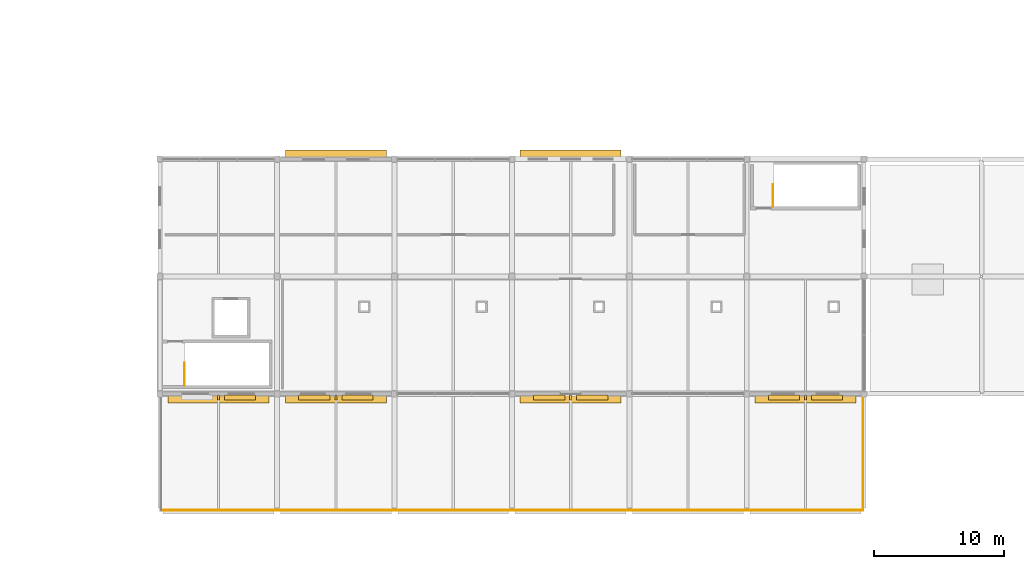
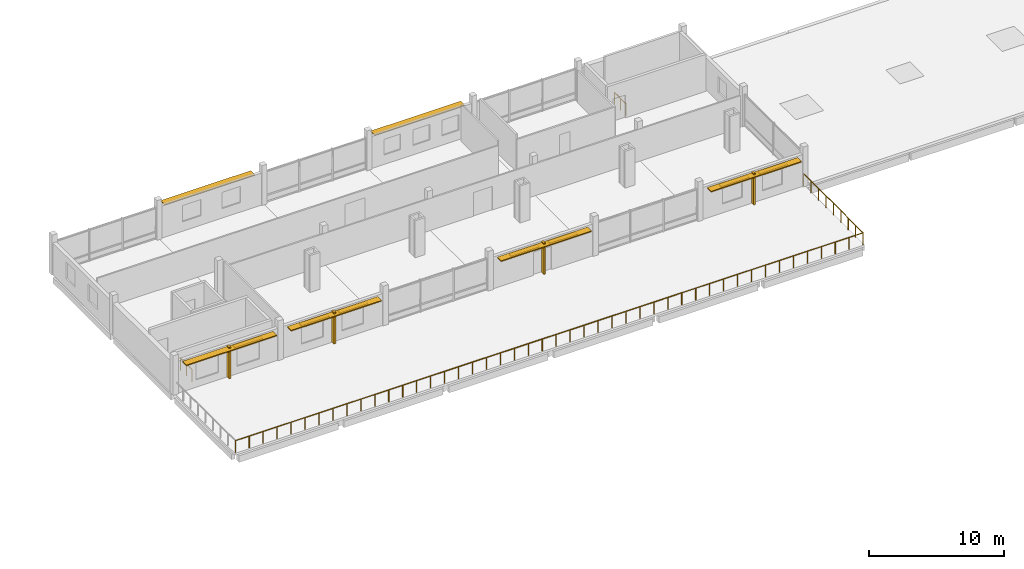
# One storey, part 162 of 163: 17 shading devices, 4 railings.
"""IFC4 building model written with IfcOpenShell, lengths in metres."""

import ifcopenshell
import ifcopenshell.guid

model = None  # the IFC model being written
_history = None  # IfcOwnerHistory: only IFC2X3 demands one
_inside = {}  # id of a spatial element -> (the spatial element, [elements in it])
_under = {}  # id of a project, library or spatial element -> (it, [spatial elements below it])
_declared = {}  # id of a project -> (the project, [libraries it declares])
_typed = {}  # id of a type object -> (the type object, [elements of that type])
_made_of = {}  # id of a material, layer set ... -> (it, [elements and type objects made of it])


def new_model(schema):
    """Start an empty IFC model of exactly this schema.

    Asked for "IFC4X3", IfcOpenShell would pick the latest addendum, in which some entities
    have other attributes; the version numbers below select the first issue.
    IFC2X3 requires an IfcOwnerHistory on every rooted entity: one is made here for all.
    """
    global model, _history
    if schema == "IFC4X3":
        model = ifcopenshell.file(schema_version=(4, 3, 0, 0))
    else:
        model = ifcopenshell.file(schema=schema)
    _inside.clear()
    _under.clear()
    _declared.clear()
    _typed.clear()
    _made_of.clear()
    _history = None
    if model.schema == "IFC2X3":
        org = make("IfcOrganization", Name="unknown")
        user = make(
            "IfcPersonAndOrganization",
            ThePerson=make("IfcPerson", FamilyName="unknown"),
            TheOrganization=org,
        )
        app = make(
            "IfcApplication",
            ApplicationDeveloper=org,
            Version="unknown",
            ApplicationFullName="unknown",
            ApplicationIdentifier="unknown",
        )
        _history = make(
            "IfcOwnerHistory",
            OwningUser=user,
            OwningApplication=app,
            ChangeAction="ADDED",
            CreationDate=0,
        )
    return model


def make(cls, **values):
    """One entity of the class cls with the attributes given. An attribute that is None is left unset."""
    return model.create_entity(
        cls, **{name: value for name, value in values.items() if value is not None}
    )


def rooted(cls, **values):
    """An entity with a GlobalId (a new one), such as an element, a storey or a relation."""
    return make(cls, GlobalId=ifcopenshell.guid.new(), OwnerHistory=_history, **values)


def si_unit(unit_type, name, prefix=None):
    """IfcSIUnit, for example si_unit("LENGTHUNIT", "METRE", prefix="MILLI")."""
    return make("IfcSIUnit", UnitType=unit_type, Prefix=prefix, Name=name)


def assignment(units):
    """IfcUnitAssignment: the units of a project."""
    return None if units is None else make("IfcUnitAssignment", Units=units)


def point(xyz):
    """IfcCartesianPoint."""
    return None if xyz is None else make("IfcCartesianPoint", Coordinates=xyz)


def direction(xyz):
    """IfcDirection."""
    return None if xyz is None else make("IfcDirection", DirectionRatios=xyz)


def frame(location, z_axis=None, x_axis=None):
    """IfcAxis2Placement3D, a coordinate frame: its origin and axes. An axis left out is left unset."""
    return make(
        "IfcAxis2Placement3D",
        Location=point(location),
        Axis=direction(z_axis),
        RefDirection=direction(x_axis),
    )


def frame_2d(location, x_axis=None):
    """IfcAxis2Placement2D, a coordinate frame in the plane: its origin and x axis."""
    return make(
        "IfcAxis2Placement2D", Location=point(location), RefDirection=direction(x_axis)
    )


def origin():
    """The frame at (0, 0, 0) with its axes left unset."""
    return frame((0.0, 0.0, 0.0))


def origin_2d():
    """The frame at (0, 0) in the plane with its x axis left unset."""
    return frame_2d((0.0, 0.0))


def place(relative_to, where):
    """IfcLocalPlacement: puts the frame where relative to a parent placement (None: the world)."""
    return make(
        "IfcLocalPlacement", PlacementRelTo=relative_to, RelativePlacement=where
    )


def context(
    kind, dimensions, precision=None, world=None, true_north=None, identifier=None
):
    """IfcGeometricRepresentationContext, for example the 3D "Model" context."""
    return make(
        "IfcGeometricRepresentationContext",
        ContextIdentifier=identifier,
        ContextType=kind,
        CoordinateSpaceDimension=dimensions,
        Precision=precision,
        WorldCoordinateSystem=world,
        TrueNorth=true_north,
    )


def subcontext(parent, identifier, kind, view, scale=None):
    """IfcGeometricRepresentationSubContext, for example "Body" below "Model"."""
    return make(
        "IfcGeometricRepresentationSubContext",
        ContextIdentifier=identifier,
        ContextType=kind,
        ParentContext=parent,
        TargetScale=scale,
        TargetView=view,
    )


def project(units=None, contexts=None):
    """IfcProject with its units and contexts."""
    return rooted(
        "IfcProject",
        Name="project",
        RepresentationContexts=contexts,
        UnitsInContext=assignment(units),
    )


def spatial(cls, under=None, at=None, **own):
    """A site, building, storey or space (cls), placed at a placement, below another one or the project."""
    s = rooted(cls, ObjectPlacement=at, **own)
    if under is not None:
        _under.setdefault(under.id(), (under, []))[1].append(s)
    return s


def profile(cls, at=None, kind="AREA", **sizes):
    """A parametric profile (cls). Its sizes go by their IFC names, for example OverallWidth=200.0."""
    return make(cls, ProfileType=kind, Position=at, **sizes)


def rectangle(**sizes):
    """IfcRectangleProfileDef."""
    return profile("IfcRectangleProfileDef", **sizes)


def circle(**sizes):
    """IfcCircleProfileDef."""
    return profile("IfcCircleProfileDef", **sizes)


def extrude(swept, where, along, depth):
    """IfcExtrudedAreaSolid: the profile swept, set in the frame where, extruded along a direction by depth."""
    return make(
        "IfcExtrudedAreaSolid",
        SweptArea=swept,
        Position=where,
        ExtrudedDirection=direction(along),
        Depth=depth,
    )


def shape(context_of_items, identifier, shape_type, items):
    """IfcShapeRepresentation: the items that make up one representation, for example the "Body"."""
    return make(
        "IfcShapeRepresentation",
        ContextOfItems=context_of_items,
        RepresentationIdentifier=identifier,
        RepresentationType=shape_type,
        Items=items,
    )


def material(Name=None, Category=None):
    """IfcMaterial."""
    return make("IfcMaterial", Name=Name, Category=Category)


def layer(
    of_material, thickness, ventilated=None, Name=None, Category=None, Priority=None
):
    """IfcMaterialLayer: one layer of a wall or slab, of a material (None: an air gap)."""
    return make(
        "IfcMaterialLayer",
        Material=of_material,
        LayerThickness=thickness,
        IsVentilated=ventilated,
        Name=Name,
        Category=Category,
        Priority=Priority,
    )


def layer_set(layers, Name=None):
    """IfcMaterialLayerSet."""
    return make("IfcMaterialLayerSet", MaterialLayers=layers, LayerSetName=Name)


def made_of(thing, what):
    """Note that an element or type object is made of a material, layer set ...; save() writes the relation."""
    if what is not None:
        _made_of.setdefault(what.id(), (what, []))[1].append(thing)
    return thing


def type_object(cls, material=None, **own):
    """A type object (cls), such as IfcWallType, which elements share."""
    return made_of(rooted(cls, **own), material)


def element(
    cls,
    number,
    at=None,
    inside=None,
    cuts=None,
    type_object=None,
    material=None,
    context=None,
    identifier="Body",
    shape_type=None,
    held_by="IfcProductDefinitionShape",
    body=None,
    shapes=None,
    **own,
):
    """One element of the class cls, such as IfcWall. Its Tag is "e" and its number.

    at: its placement. inside: the storey or other place that contains it. cuts: it is an
    opening in that element (IfcRelVoidsElement). A single representation is given by context,
    identifier, shape_type and body (its items); several are given by shapes. held_by: the class
    of the entity that holds the representations. save() writes the other relations.
    """
    e = rooted(cls, Tag="e%d" % number, ObjectPlacement=at, **own)
    if body is not None:
        shapes = [shape(context, identifier, shape_type, body)]
    if shapes is not None:
        e.Representation = make(held_by, Representations=shapes)
    if inside is not None:
        _inside.setdefault(inside.id(), (inside, []))[1].append(e)
    if cuts is not None:
        rooted(
            "IfcRelVoidsElement", RelatingBuildingElement=cuts, RelatedOpeningElement=e
        )
    if type_object is not None:
        _typed.setdefault(type_object.id(), (type_object, []))[1].append(e)
    return made_of(e, material)


def aggregate(whole, parts):
    """IfcRelAggregates: a whole, such as a stair, and the parts it consists of."""
    return rooted("IfcRelAggregates", RelatingObject=whole, RelatedObjects=parts)


def save(model, path):
    """Write the relations noted so far, then the file.

    IfcRelAggregates (storeys below a building ...), IfcRelContainedInSpatialStructure (elements
    in a storey), IfcRelDefinesByType, IfcRelAssociatesMaterial and IfcRelDeclares: one each for
    every whole, place, type object, material and project.
    """
    for whole, parts in _under.values():
        aggregate(whole, parts)
    for where, things in _inside.values():
        rooted(
            "IfcRelContainedInSpatialStructure",
            RelatedElements=things,
            RelatingStructure=where,
        )
    for kind, things in _typed.values():
        rooted("IfcRelDefinesByType", RelatedObjects=things, RelatingType=kind)
    for what, things in _made_of.values():
        rooted("IfcRelAssociatesMaterial", RelatedObjects=things, RelatingMaterial=what)
    for by, libraries in _declared.values():
        rooted("IfcRelDeclares", RelatingContext=by, RelatedDefinitions=libraries)
    model.write(path)


model = new_model("IFC4")

# Units and contexts
model_context = context("Model", 3, precision=1e-05, world=origin(), true_north=direction((0.0, 1.0)))
body_context = subcontext(model_context, "Body", "Model", "MODEL_VIEW")
ifc_project = project(units=[si_unit("LENGTHUNIT", "METRE"), si_unit("AREAUNIT", "SQUARE_METRE"), si_unit("VOLUMEUNIT", "CUBIC_METRE"), si_unit("PLANEANGLEUNIT", "RADIAN"), si_unit("MASSUNIT", "GRAM", prefix="KILO")], contexts=[model_context])

# Site, building, storey
site_placement = place(None, origin())
site = spatial("IfcSite", under=ifc_project, at=site_placement, CompositionType="ELEMENT")
building_placement = place(site_placement, origin())
building = spatial("IfcBuilding", under=site, at=building_placement, Name="Tharagai Park Tramway Depot", CompositionType="ELEMENT")
storey_placement = place(building_placement, frame((0.0, 0.0, 8.39990234375)))
storey = spatial("IfcBuildingStorey", under=building, at=storey_placement, Name="L02", CompositionType="ELEMENT", Elevation=8.39990234375)

# Railings
ifc_material_1 = material(Name="Galvanised steel", Category="steel")
railing_type_1 = type_object("IfcRailingType", Name="GR-01", PredefinedType="BALUSTRADE", material=ifc_material_1)
railing_1_placement = place(storey_placement, frame((135.080078125, 0.080078125, 0.0)))
element("IfcRailing", 1, at=railing_1_placement, inside=storey, type_object=railing_type_1, Name="Park Belvedere Terrace Perimeter Guard S", PredefinedType="BALUSTRADE", context=body_context, shape_type="SweptSolid", body=[
    extrude(circle(Radius=0.02392578125, at=origin_2d()), frame((0.0, 0.0, 1.076171875), z_axis=(1.0, 0.0, 0.0), x_axis=(0.0, 1.0, 0.0)), (0.0, 0.0, 1.0), 53.83984375),
    extrude(circle(Radius=0.02099609375, at=origin_2d()), origin(), (0.0, 0.0, 1.0), 1.052001953125),
    extrude(circle(Radius=0.02099609375, at=origin_2d()), frame((1.196533203125, 0.0, 0.0)), (0.0, 0.0, 1.0), 1.052001953125),
    extrude(circle(Radius=0.02099609375, at=origin_2d()), frame((2.392822265625, 0.0, 0.0)), (0.0, 0.0, 1.0), 1.052001953125),
    extrude(circle(Radius=0.02099609375, at=origin_2d()), frame((3.58935546875, 0.0, 0.0)), (0.0, 0.0, 1.0), 1.052001953125),
    extrude(circle(Radius=0.02099609375, at=origin_2d()), frame((4.78564453125, 0.0, 0.0)), (0.0, 0.0, 1.0), 1.052001953125),
    extrude(circle(Radius=0.02099609375, at=origin_2d()), frame((5.982177734375, 0.0, 0.0)), (0.0, 0.0, 1.0), 1.052001953125),
    extrude(circle(Radius=0.02099609375, at=origin_2d()), frame((7.1787109375, 0.0, 0.0)), (0.0, 0.0, 1.0), 1.052001953125),
    extrude(circle(Radius=0.02099609375, at=origin_2d()), frame((8.375, 0.0, 0.0)), (0.0, 0.0, 1.0), 1.052001953125),
    extrude(circle(Radius=0.02099609375, at=origin_2d()), frame((9.571533203125, 0.0, 0.0)), (0.0, 0.0, 1.0), 1.052001953125),
    extrude(circle(Radius=0.02099609375, at=origin_2d()), frame((10.76806640625, 0.0, 0.0)), (0.0, 0.0, 1.0), 1.052001953125),
    extrude(circle(Radius=0.02099609375, at=origin_2d()), frame((11.96435546875, 0.0, 0.0)), (0.0, 0.0, 1.0), 1.052001953125),
    extrude(circle(Radius=0.02099609375, at=origin_2d()), frame((13.160888671875, 0.0, 0.0)), (0.0, 0.0, 1.0), 1.052001953125),
    extrude(circle(Radius=0.02099609375, at=origin_2d()), frame((14.357177734375, 0.0, 0.0)), (0.0, 0.0, 1.0), 1.052001953125),
    extrude(circle(Radius=0.02099609375, at=origin_2d()), frame((15.5537109375, 0.0, 0.0)), (0.0, 0.0, 1.0), 1.052001953125),
    extrude(circle(Radius=0.02099609375, at=origin_2d()), frame((16.750244140625, 0.0, 0.0)), (0.0, 0.0, 1.0), 1.052001953125),
    extrude(circle(Radius=0.02099609375, at=origin_2d()), frame((17.946533203125, 0.0, 0.0)), (0.0, 0.0, 1.0), 1.052001953125),
    extrude(circle(Radius=0.02099609375, at=origin_2d()), frame((19.14306640625, 0.0, 0.0)), (0.0, 0.0, 1.0), 1.052001953125),
    extrude(circle(Radius=0.02099609375, at=origin_2d()), frame((20.339599609375, 0.0, 0.0)), (0.0, 0.0, 1.0), 1.052001953125),
    extrude(circle(Radius=0.02099609375, at=origin_2d()), frame((21.535888671875, 0.0, 0.0)), (0.0, 0.0, 1.0), 1.052001953125),
    extrude(circle(Radius=0.02099609375, at=origin_2d()), frame((22.732421875, 0.0, 0.0)), (0.0, 0.0, 1.0), 1.052001953125),
    extrude(circle(Radius=0.02099609375, at=origin_2d()), frame((23.9287109375, 0.0, 0.0)), (0.0, 0.0, 1.0), 1.052001953125),
    extrude(circle(Radius=0.02099609375, at=origin_2d()), frame((25.125244140625, 0.0, 0.0)), (0.0, 0.0, 1.0), 1.052001953125),
    extrude(circle(Radius=0.02099609375, at=origin_2d()), frame((26.32177734375, 0.0, 0.0)), (0.0, 0.0, 1.0), 1.052001953125),
    extrude(circle(Radius=0.02099609375, at=origin_2d()), frame((27.51806640625, 0.0, 0.0)), (0.0, 0.0, 1.0), 1.052001953125),
    extrude(circle(Radius=0.02099609375, at=origin_2d()), frame((28.714599609375, 0.0, 0.0)), (0.0, 0.0, 1.0), 1.052001953125),
    extrude(circle(Radius=0.02099609375, at=origin_2d()), frame((29.9111328125, 0.0, 0.0)), (0.0, 0.0, 1.0), 1.052001953125),
    extrude(circle(Radius=0.02099609375, at=origin_2d()), frame((31.107421875, 0.0, 0.0)), (0.0, 0.0, 1.0), 1.052001953125),
    extrude(circle(Radius=0.02099609375, at=origin_2d()), frame((32.303955078125, 0.0, 0.0)), (0.0, 0.0, 1.0), 1.052001953125),
    extrude(circle(Radius=0.02099609375, at=origin_2d()), frame((33.500244140625, 0.0, 0.0)), (0.0, 0.0, 1.0), 1.052001953125),
    extrude(circle(Radius=0.02099609375, at=origin_2d()), frame((34.69677734375, 0.0, 0.0)), (0.0, 0.0, 1.0), 1.052001953125),
    extrude(circle(Radius=0.02099609375, at=origin_2d()), frame((35.893310546875, 0.0, 0.0)), (0.0, 0.0, 1.0), 1.052001953125),
    extrude(circle(Radius=0.02099609375, at=origin_2d()), frame((37.089599609375, 0.0, 0.0)), (0.0, 0.0, 1.0), 1.052001953125),
    extrude(circle(Radius=0.02099609375, at=origin_2d()), frame((38.2861328125, 0.0, 0.0)), (0.0, 0.0, 1.0), 1.052001953125),
    extrude(circle(Radius=0.02099609375, at=origin_2d()), frame((39.482666015625, 0.0, 0.0)), (0.0, 0.0, 1.0), 1.052001953125),
    extrude(circle(Radius=0.02099609375, at=origin_2d()), frame((40.678955078125, 0.0, 0.0)), (0.0, 0.0, 1.0), 1.052001953125),
    extrude(circle(Radius=0.02099609375, at=origin_2d()), frame((41.87548828125, 0.0, 0.0)), (0.0, 0.0, 1.0), 1.052001953125),
    extrude(circle(Radius=0.02099609375, at=origin_2d()), frame((43.07177734375, 0.0, 0.0)), (0.0, 0.0, 1.0), 1.052001953125),
    extrude(circle(Radius=0.02099609375, at=origin_2d()), frame((44.268310546875, 0.0, 0.0)), (0.0, 0.0, 1.0), 1.052001953125),
    extrude(circle(Radius=0.02099609375, at=origin_2d()), frame((45.46484375, 0.0, 0.0)), (0.0, 0.0, 1.0), 1.052001953125),
    extrude(circle(Radius=0.02099609375, at=origin_2d()), frame((46.6611328125, 0.0, 0.0)), (0.0, 0.0, 1.0), 1.052001953125),
    extrude(circle(Radius=0.02099609375, at=origin_2d()), frame((47.857666015625, 0.0, 0.0)), (0.0, 0.0, 1.0), 1.052001953125),
    extrude(circle(Radius=0.02099609375, at=origin_2d()), frame((49.05419921875, 0.0, 0.0)), (0.0, 0.0, 1.0), 1.052001953125),
    extrude(circle(Radius=0.02099609375, at=origin_2d()), frame((50.25048828125, 0.0, 0.0)), (0.0, 0.0, 1.0), 1.052001953125),
    extrude(circle(Radius=0.02099609375, at=origin_2d()), frame((51.447021484375, 0.0, 0.0)), (0.0, 0.0, 1.0), 1.052001953125),
    extrude(circle(Radius=0.02099609375, at=origin_2d()), frame((52.643310546875, 0.0, 0.0)), (0.0, 0.0, 1.0), 1.052001953125),
    extrude(circle(Radius=0.02099609375, at=origin_2d()), frame((53.83984375, 0.0, 0.0)), (0.0, 0.0, 1.0), 1.052001953125),
])
railing_2_placement = place(storey_placement, frame((188.919921875, 0.080078125, 0.0)))
element("IfcRailing", 2, at=railing_2_placement, inside=storey, type_object=railing_type_1, Name="Park Belvedere Terrace Perimeter Guard E", PredefinedType="BALUSTRADE", context=body_context, shape_type="SweptSolid", body=[
    extrude(circle(Radius=0.02392578125, at=origin_2d()), frame((0.0, 0.0, 1.076171875), z_axis=(0.0, 1.0, 0.0), x_axis=(-1.0, 0.0, 0.0)), (0.0, 0.0, 1.0), 8.83984375),
    extrude(circle(Radius=0.02099609375, at=origin_2d()), origin(), (0.0, 0.0, 1.0), 1.052001953125),
    extrude(circle(Radius=0.02099609375, at=origin_2d()), frame((0.0, 1.10498046875, 0.0)), (0.0, 0.0, 1.0), 1.052001953125),
    extrude(circle(Radius=0.02099609375, at=origin_2d()), frame((0.0, 2.2099609375, 0.0)), (0.0, 0.0, 1.0), 1.052001953125),
    extrude(circle(Radius=0.02099609375, at=origin_2d()), frame((0.0, 3.31494140625, 0.0)), (0.0, 0.0, 1.0), 1.052001953125),
    extrude(circle(Radius=0.02099609375, at=origin_2d()), frame((0.0, 4.419921875, 0.0)), (0.0, 0.0, 1.0), 1.052001953125),
    extrude(circle(Radius=0.02099609375, at=origin_2d()), frame((0.0, 5.52490234375, 0.0)), (0.0, 0.0, 1.0), 1.052001953125),
    extrude(circle(Radius=0.02099609375, at=origin_2d()), frame((0.0, 6.6298828125, 0.0)), (0.0, 0.0, 1.0), 1.052001953125),
    extrude(circle(Radius=0.02099609375, at=origin_2d()), frame((0.0, 7.73486328125, 0.0)), (0.0, 0.0, 1.0), 1.052001953125),
    extrude(circle(Radius=0.02099609375, at=origin_2d()), frame((0.0, 8.83984375, 0.0)), (0.0, 0.0, 1.0), 1.052001953125),
])
railing_type_2 = type_object("IfcRailingType", Name="HR-02", PredefinedType="GUARDRAIL", material=ifc_material_1)
railing_3_placement = place(storey_placement, frame((136.89990234375, 9.64990234375, 0.0)))
element("IfcRailing", 3, at=railing_3_placement, inside=storey, type_object=railing_type_2, Name="L02 ST-06 top well guard 1", PredefinedType="GUARDRAIL", context=body_context, shape_type="SweptSolid", body=[
    extrude(circle(Radius=0.02392578125, at=origin_2d()), frame((0.0, 0.0, 1.076171875), z_axis=(0.0, 1.0, 0.0), x_axis=(-1.0, 0.0, 0.0)), (0.0, 0.0, 1.0), 1.7001953125),
    extrude(circle(Radius=0.02099609375, at=origin_2d()), origin(), (0.0, 0.0, 1.0), 1.052001953125),
    extrude(circle(Radius=0.02099609375, at=origin_2d()), frame((0.0, 0.85009765625, 0.0)), (0.0, 0.0, 1.0), 1.052001953125),
    extrude(circle(Radius=0.02099609375, at=origin_2d()), frame((0.0, 1.7001953125, 0.0)), (0.0, 0.0, 1.0), 1.052001953125),
])
railing_4_placement = place(storey_placement, frame((182.02001953125, 23.35009765625, 0.0)))
element("IfcRailing", 4, at=railing_4_placement, inside=storey, type_object=railing_type_2, Name="L02 ST-07 top well guard 1", PredefinedType="GUARDRAIL", context=body_context, shape_type="SweptSolid", body=[
    extrude(circle(Radius=0.02392578125, at=origin_2d()), frame((0.0, 0.0, 1.076171875), z_axis=(0.0, 1.0, 0.0), x_axis=(-1.0, 0.0, 0.0)), (0.0, 0.0, 1.0), 1.699951171875),
    extrude(circle(Radius=0.02099609375, at=origin_2d()), origin(), (0.0, 0.0, 1.0), 1.052001953125),
    extrude(circle(Radius=0.02099609375, at=origin_2d()), frame((0.0, 0.85009765625, 0.0)), (0.0, 0.0, 1.0), 1.052001953125),
    extrude(circle(Radius=0.02099609375, at=origin_2d()), frame((0.0, 1.699951171875, 0.0)), (0.0, 0.0, 1.0), 1.052001953125),
])

# Shading devices
ifc_material_2 = material(Name="Anodised aluminium", Category="aluminium")
ifc_layer_1 = layer(ifc_material_2, 0.090087890625)
ifc_layer_set_1 = layer_set([ifc_layer_1], Name="Anodised aluminium")
shading_device_type_1 = type_object("IfcShadingDeviceType", Name="SD-01", PredefinedType="SHUTTER", material=ifc_layer_set_1)
for number, where, z_axis, x_axis, name in (
    (5, (139.5, 8.580078125, 2.6669921875), (0.0, 0.0, 1.0), (1.0, 0.0, 0.0), "Monsoon Storm Louvre Hood SD-01 #55"),
    (6, (148.5, 8.580078125, 2.6669921875), (0.0, 0.0, 1.0), (1.0, 0.0, 0.0), "Monsoon Storm Louvre Hood SD-01 #56"),
    (7, (166.5, 8.580078125, 2.6669921875), (0.0, 0.0, 1.0), (1.0, 0.0, 0.0), "Monsoon Storm Louvre Hood SD-01 #57"),
    (8, (184.5, 8.580078125, 2.6669921875), (0.0, 0.0, 1.0), (1.0, 0.0, 0.0), "Monsoon Storm Louvre Hood SD-01 #58"),
    (9, (148.5, 27.419921875, 2.6669921875), (0.0, 0.0, 1.0), (1.0, 0.0, 0.0), "Monsoon Storm Louvre Hood SD-01 #61"),
    (10, (166.5, 27.419921875, 2.6669921875), (0.0, 0.0, 1.0), (1.0, 0.0, 0.0), "Monsoon Storm Louvre Hood SD-01 #62"),
):
    element("IfcShadingDevice", number, at=place(storey_placement, frame(where, z_axis=z_axis, x_axis=x_axis)), inside=storey, type_object=shading_device_type_1, Name=name, PredefinedType="SHUTTER", context=body_context, shape_type="SweptSolid", body=[
        extrude(rectangle(XDim=7.75390625, YDim=0.580078125, at=origin_2d()), origin(), (0.0, 0.0, 1.0), 0.090087890625),
    ])
ifc_material_3 = material(Name="Charnockite stone", Category="masonry")
ifc_layer_2 = layer(ifc_material_3, 0.159912109375)
ifc_layer_set_2 = layer_set([ifc_layer_2], Name="Charnockite stone")
shading_device_type_2 = type_object("IfcShadingDeviceType", Name="SD-02", PredefinedType="JALOUSIE", material=ifc_layer_set_2)
for number, where, z_axis, x_axis, name in (
    (11, (139.5, 8.719970703125, 0.030029296875), (0.0, 0.0, 1.0), (1.0, 0.0, 0.0), "Charnockite Gothic Lancet Mullion Fin SD-02 #23"),
    (12, (148.5, 8.719970703125, 0.030029296875), (0.0, 0.0, 1.0), (1.0, 0.0, 0.0), "Charnockite Gothic Lancet Mullion Fin SD-02 #24"),
    (13, (166.5, 8.719970703125, 0.030029296875), (0.0, 0.0, 1.0), (1.0, 0.0, 0.0), "Charnockite Gothic Lancet Mullion Fin SD-02 #25"),
    (14, (184.5, 8.719970703125, 0.030029296875), (0.0, 0.0, 1.0), (1.0, 0.0, 0.0), "Charnockite Gothic Lancet Mullion Fin SD-02 #26"),
):
    element("IfcShadingDevice", number, at=place(storey_placement, frame(where, z_axis=z_axis, x_axis=x_axis)), inside=storey, type_object=shading_device_type_2, Name=name, PredefinedType="JALOUSIE", context=body_context, shape_type="SweptSolid", body=[
        extrude(rectangle(XDim=0.159912109375, YDim=0.360107421875, at=origin_2d()), origin(), (0.0, 0.0, 1.0), 2.83203125),
    ])
ifc_layer_3 = layer(ifc_material_3, 0.139892578125)
ifc_layer_set_3 = layer_set([ifc_layer_3], Name="Charnockite stone")
shading_device_type_3 = type_object("IfcShadingDeviceType", Name="SD-03", PredefinedType="AWNING", material=ifc_layer_set_3)
for number, where, z_axis, x_axis, name in (
    (15, (141.14990234375, 8.719970703125, 2.5419921875), (0.0, 0.0, 1.0), (1.0, 0.0, 0.0), "Charnockite Gothic Window Hood Drip Moulding SD-03 #9-2"),
    (16, (146.85009765625, 8.719970703125, 2.5419921875), (0.0, 0.0, 1.0), (1.0, 0.0, 0.0), "Charnockite Gothic Window Hood Drip Moulding SD-03 #10-1"),
    (17, (150.14990234375, 8.719970703125, 2.5419921875), (0.0, 0.0, 1.0), (1.0, 0.0, 0.0), "Charnockite Gothic Window Hood Drip Moulding SD-03 #10-2"),
    (18, (164.85009765625, 8.719970703125, 2.5419921875), (0.0, 0.0, 1.0), (1.0, 0.0, 0.0), "Charnockite Gothic Window Hood Drip Moulding SD-03 #11-1"),
    (19, (168.14990234375, 8.719970703125, 2.5419921875), (0.0, 0.0, 1.0), (1.0, 0.0, 0.0), "Charnockite Gothic Window Hood Drip Moulding SD-03 #11-2"),
    (20, (182.85009765625, 8.719970703125, 2.5419921875), (0.0, 0.0, 1.0), (1.0, 0.0, 0.0), "Charnockite Gothic Window Hood Drip Moulding SD-03 #12-1"),
    (21, (186.14990234375, 8.719970703125, 2.5419921875), (0.0, 0.0, 1.0), (1.0, 0.0, 0.0), "Charnockite Gothic Window Hood Drip Moulding SD-03 #12-2"),
):
    element("IfcShadingDevice", number, at=place(storey_placement, frame(where, z_axis=z_axis, x_axis=x_axis)), inside=storey, type_object=shading_device_type_3, Name=name, PredefinedType="AWNING", context=body_context, shape_type="SweptSolid", body=[
        extrude(rectangle(XDim=2.39990234375, YDim=0.360107421875, at=origin_2d()), origin(), (0.0, 0.0, 1.0), 0.139892578125),
    ])

save(model, "model.ifc")
